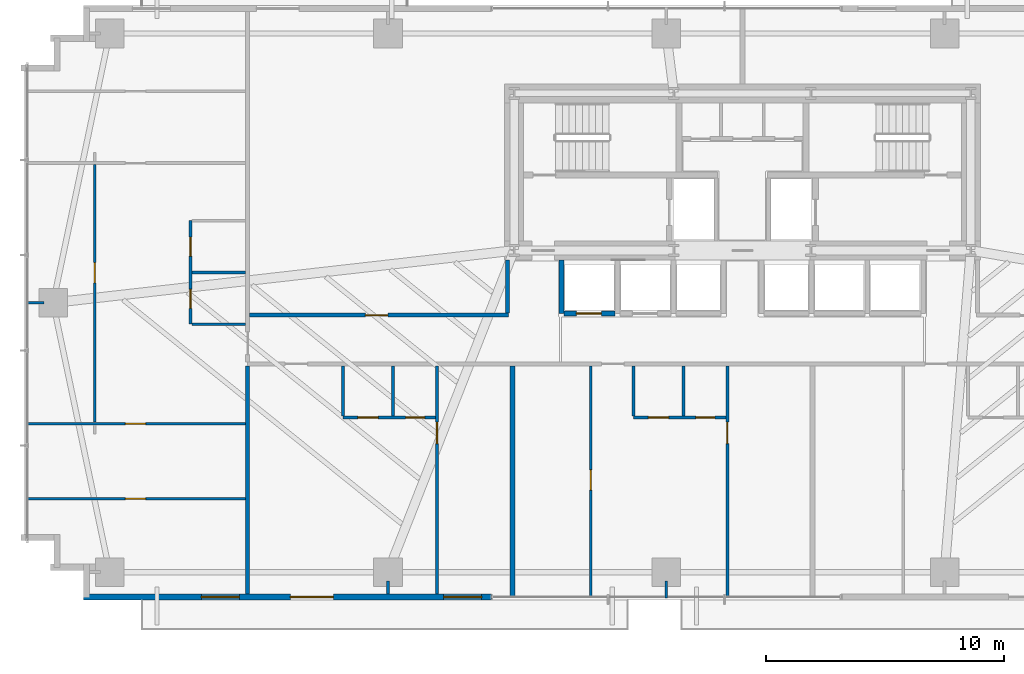
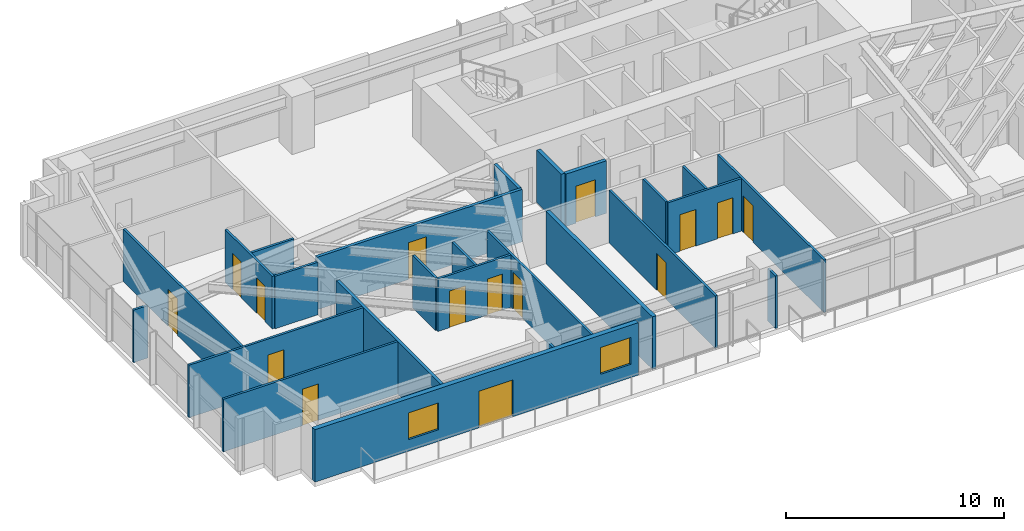
# One storey, part 19 of 25: 25 walls, 15 doors, 2 windows, 17 openings.
"""IFC4 building model written with IfcOpenShell, lengths in metres."""

from ifc_helpers import new_model, si_unit, direction, frame, frame_2d, origin, place, context, subcontext, project, spatial, rectangle, extrude, source, transform, mapped, material, layer, layer_set, type_object, type_shapes, element, fill, save


model = new_model("IFC4")

# Units and contexts
model_context = context("Model", 3, precision=1e-05, world=origin(), true_north=direction((0.0, 1.0)))
body_context = subcontext(model_context, "Body", "Model", "MODEL_VIEW")
ifc_project = project(units=[si_unit("LENGTHUNIT", "METRE"), si_unit("AREAUNIT", "SQUARE_METRE"), si_unit("VOLUMEUNIT", "CUBIC_METRE"), si_unit("PLANEANGLEUNIT", "RADIAN"), si_unit("MASSUNIT", "GRAM", prefix="KILO")], contexts=[model_context])

# Site, building, storey
site_placement = place(None, origin())
site = spatial("IfcSite", under=ifc_project, at=site_placement, CompositionType="ELEMENT")
building_placement = place(site_placement, origin())
building = spatial("IfcBuilding", under=site, at=building_placement, Name="Astriad Promenade Condominiums", CompositionType="ELEMENT")
storey_placement = place(building_placement, frame((0.0, 0.0, 42.199951171875)))
storey = spatial("IfcBuildingStorey", under=building, at=storey_placement, Name="L11", CompositionType="ELEMENT", Elevation=42.199951171875)

# Wall
ifc_material_1 = material(Name="Fire-Rated Gypsum Partition")
ifc_layer_1 = layer(ifc_material_1, 0.159912109375)
ifc_layer_set_1 = layer_set([ifc_layer_1], Name="Fire-Rated Gypsum Partition")
wall_type_1 = type_object("IfcWallType", Name="WALL-CORR-160", PredefinedType="PARTITIONING", material=ifc_layer_set_1)
wall_1_placement = place(storey_placement, frame((15.199951171875, 2.9619140625, 0.0), z_axis=(0.0, 0.0, 1.0), x_axis=(0.0, 1.0, 0.0)))
element("IfcWall", 1, at=wall_1_placement, inside=storey, type_object=wall_type_1, Name="PT-COR-W-L11", PredefinedType="PARTITIONING", context=body_context, shape_type="SweptSolid", body=[
    extrude(rectangle(XDim=9.586181640625, YDim=0.159912109375, at=frame_2d((4.79296875, 0.0))), origin(), (0.0, 0.0, 1.0), 2.93994140625),
])

# Wall, opening, door
wall_2_placement = place(storey_placement, frame((15.281982421875, 14.679931640625, 0.0), z_axis=(0.0, 0.0, 1.0), x_axis=(1.0, 0.0, 0.0)))
wall_2 = element("IfcWall", 2, at=wall_2_placement, inside=storey, type_object=wall_type_1, Name="PT-FLK-NW-L11", PredefinedType="PARTITIONING", context=body_context, shape_type="SweptSolid", body=[
    extrude(rectangle(XDim=10.8779296875, YDim=0.159912109375, at=frame_2d((5.43896484375, 0.0))), origin(), (0.0, 0.0, 1.0), 2.93994140625),
])
opening_1_placement = place(wall_2_placement, frame((4.863037109375, 0.0, 0.0)))
opening_1 = element("IfcOpeningElement", 3, at=opening_1_placement, cuts=wall_2, Name="Opening FD60-APT-095", PredefinedType="OPENING", context=body_context, shape_type="SweptSolid", body=[
    extrude(rectangle(XDim=0.949951171875, YDim=2.06005859375, at=frame_2d((0.47509765625, 1.030029296875))), frame((0.0, 0.08984375, 0.0), z_axis=(0.0, -1.0, 0.0), x_axis=(1.0, 0.0, 0.0)), (0.0, 0.0, 1.0), 0.179931640625),
])
ifc_material_2 = material(Name="Solid-Core Acoustic Timber Residence Entry Door", Category="wood")
door_type_1 = type_object("IfcDoorType", Name="FD60-APT-095", OperationType="NOTDEFINED", PredefinedType="DOOR", material=ifc_material_2)
shared_shape_1 = source(origin(), body_context, "Body", "SweptSolid", [
    extrude(rectangle(XDim=0.949951171875, YDim=2.06005859375, at=frame_2d((0.47509765625, 1.030029296875))), frame((0.0, 0.02490234375, 0.0), z_axis=(0.0, -1.0, 0.0), x_axis=(1.0, 0.0, 0.0)), (0.0, 0.0, 1.0), 0.050048828125),
])
type_shapes(door_type_1, [shared_shape_1])
door_1_placement = place(opening_1_placement, origin())
door_1 = element("IfcDoor", 4, at=door_1_placement, inside=storey, type_object=door_type_1, Name="D-NWA-L11", OperationType="SINGLE_SWING_LEFT", OverallHeight=2.06005859375, OverallWidth=0.949951171875, PredefinedType="DOOR", context=body_context, shape_type="MappedRepresentation", body=[
    mapped(shared_shape_1, transform((0.0, 0.0, 0.0), scale=1.0)),
])
fill(opening_1, door_1)

# Walls
wall_3_placement = place(storey_placement, frame((26.1201171875, 14.761962890625, 0.0), z_axis=(0.0, 0.0, 1.0), x_axis=(0.0, 1.0, 0.0)))
element("IfcWall", 5, at=wall_3_placement, inside=storey, type_object=wall_type_1, Name="PT-WSPUR-W-L11", PredefinedType="PARTITIONING", context=body_context, shape_type="SweptSolid", body=[
    extrude(rectangle(XDim=2.236083984375, YDim=0.159912109375, at=frame_2d((1.1181640625, 0.0))), origin(), (0.0, 0.0, 1.0), 2.93994140625),
])
ifc_material_3 = material(Name="Acoustic Double-Stud Gypsum Partition")
ifc_layer_2 = layer(ifc_material_3, 0.199951171875)
ifc_layer_set_2 = layer_set([ifc_layer_2], Name="Acoustic Double-Stud Gypsum Partition")
wall_type_2 = type_object("IfcWallType", Name="WALL-DEMISING-200", PredefinedType="PARTITIONING", material=ifc_layer_set_2)
wall_4_placement = place(storey_placement, frame((26.330078125, 2.780029296875, 0.0), z_axis=(0.0, 0.0, 1.0), x_axis=(0.0, 1.0, 0.0)))
element("IfcWall", 6, at=wall_4_placement, inside=storey, type_object=wall_type_2, Name="PT-DEM-S1-L11", PredefinedType="PARTITIONING", context=body_context, shape_type="SweptSolid", body=[
    extrude(rectangle(XDim=9.76806640625, YDim=0.199951171875, at=frame_2d((4.884033203125, 0.0))), origin(), (0.0, 0.0, 1.0), 2.93994140625),
])

# Wall, openings, door, windows
ifc_material_4 = material(Name="Precast concrete C50/60", Category="concrete")
ifc_layer_3 = layer(ifc_material_4, 0.260009765625)
ifc_layer_set_3 = layer_set([ifc_layer_3], Name="Precast concrete C50/60")
wall_type_3 = type_object("IfcWallType", Name="WALL-EXT-TWR-260", PredefinedType="STANDARD", material=ifc_layer_set_3)
wall_5_placement = place(storey_placement, frame((25.449951171875, 2.830078125, 0.0), z_axis=(0.0, 0.0, 1.0), x_axis=(-1.0, 0.0, 0.0)))
wall_5 = element("IfcWall", 7, at=wall_5_placement, inside=storey, type_object=wall_type_3, Name="W-EXT-L11-S2", PredefinedType="STANDARD", context=body_context, shape_type="SweptSolid", body=[
    extrude(rectangle(XDim=17.14990234375, YDim=0.260009765625, at=frame_2d((8.574951171875, 0.0))), origin(), (0.0, 0.0, 1.0), 2.93994140625),
])
opening_2_placement = place(wall_5_placement, frame((6.64990234375, 0.0, 0.0)))
opening_2 = element("IfcOpeningElement", 8, at=opening_2_placement, cuts=wall_5, Name="Opening BD-1822-SLD", PredefinedType="OPENING", context=body_context, shape_type="SweptSolid", body=[
    extrude(rectangle(XDim=1.800048828125, YDim=2.06005859375, at=frame_2d((0.89990234375, 1.030029296875))), frame((0.0, 0.139892578125, 0.0), z_axis=(0.0, -1.0, 0.0), x_axis=(1.0, 0.0, 0.0)), (0.0, 0.0, 1.0), 0.280029296875),
])
opening_3_placement = place(wall_5_placement, frame((10.60009765625, 0.0, 0.64990234375)))
opening_3 = element("IfcOpeningElement", 9, at=opening_3_placement, cuts=wall_5, Name="Opening WIN-TWR-1620", PredefinedType="OPENING", context=body_context, shape_type="SweptSolid", body=[
    extrude(rectangle(XDim=1.60009765625, YDim=1.5, at=frame_2d((0.800048828125, 0.75))), frame((0.0, 0.139892578125, 0.0), z_axis=(0.0, -1.0, 0.0), x_axis=(1.0, 0.0, 0.0)), (0.0, 0.0, 1.0), 0.280029296875),
])
opening_4_placement = place(wall_5_placement, frame((0.4130859375, 0.0, 0.75)))
opening_4 = element("IfcOpeningElement", 10, at=opening_4_placement, cuts=wall_5, Name="Opening WIN-TWR-1620", PredefinedType="OPENING", context=body_context, shape_type="SweptSolid", body=[
    extrude(rectangle(XDim=1.60009765625, YDim=1.5, at=frame_2d((0.800048828125, 0.75))), frame((0.0, 0.139892578125, 0.0), z_axis=(0.0, -1.0, 0.0), x_axis=(1.0, 0.0, 0.0)), (0.0, 0.0, 1.0), 0.280029296875),
])
ifc_material_5 = material(Name="Thermally Broken Aluminium Sliding Balcony Door", Category="aluminium")
door_type_2 = type_object("IfcDoorType", Name="BD-1822-SLD", OperationType="NOTDEFINED", PredefinedType="DOOR", material=ifc_material_5)
shared_shape_2 = source(origin(), body_context, "Body", "SweptSolid", [
    extrude(rectangle(XDim=1.800048828125, YDim=2.06005859375, at=frame_2d((0.89990234375, 1.030029296875))), frame((0.0, 0.02490234375, 0.0), z_axis=(0.0, -1.0, 0.0), x_axis=(1.0, 0.0, 0.0)), (0.0, 0.0, 1.0), 0.050048828125),
])
type_shapes(door_type_2, [shared_shape_2])
door_2_placement = place(opening_2_placement, origin())
door_2 = element("IfcDoor", 11, at=door_2_placement, inside=storey, type_object=door_type_2, Name="BD-L11-SW", OperationType="SLIDING_TO_LEFT", OverallHeight=2.06005859375, OverallWidth=1.800048828125, PredefinedType="DOOR", context=body_context, shape_type="MappedRepresentation", body=[
    mapped(shared_shape_2, transform((0.0, 0.0, 0.0), scale=1.0)),
])
fill(opening_2, door_2)
ifc_material_6 = material(Name="Dark Tinted Triple-Glazed Aluminium Window", Category="aluminium")
window_type = type_object("IfcWindowType", Name="WIN-TWR-1620", PartitioningType="SINGLE_PANEL", PredefinedType="WINDOW", material=ifc_material_6)
shared_shape_3 = source(origin(), body_context, "Body", "SweptSolid", [
    extrude(rectangle(XDim=1.60009765625, YDim=1.5, at=frame_2d((0.800048828125, 0.75))), frame((0.0, 0.030029296875, 0.0), z_axis=(0.0, -1.0, 0.0), x_axis=(1.0, 0.0, 0.0)), (0.0, 0.0, 1.0), 0.06005859375),
])
type_shapes(window_type, [shared_shape_3])
window_1_placement = place(opening_3_placement, origin())
window_1 = element("IfcWindow", 12, at=window_1_placement, inside=storey, type_object=window_type, Name="WIN-L11-SW", OverallHeight=1.5, OverallWidth=1.60009765625, PartitioningType="SINGLE_PANEL", PredefinedType="WINDOW", context=body_context, shape_type="MappedRepresentation", body=[
    mapped(shared_shape_3, transform((0.0, 0.0, 0.0), scale=1.0)),
])
fill(opening_3, window_1)
window_2_placement = place(opening_4_placement, origin())
window_2 = element("IfcWindow", 13, at=window_2_placement, inside=storey, type_object=window_type, Name="WIN-DW-L11-S1-BD1", OverallHeight=1.5, OverallWidth=1.60009765625, PartitioningType="SINGLE_PANEL", PredefinedType="WINDOW", context=body_context, shape_type="MappedRepresentation", body=[
    mapped(shared_shape_3, transform((0.0, 0.0, 0.0), scale=1.0)),
])
fill(opening_4, window_2)

# Wall, opening, door
ifc_material_7 = material(Name="Acoustic Metal-Stud Gypsum Partition")
ifc_layer_4 = layer(ifc_material_7, 0.1201171875)
ifc_layer_set_4 = layer_set([ifc_layer_4], Name="Acoustic Metal-Stud Gypsum Partition")
wall_type_4 = type_object("IfcWallType", Name="WALL-PART-120", PredefinedType="PARTITIONING", material=ifc_layer_set_4)
wall_6_placement = place(storey_placement, frame((23.1640625, 2.9619140625, 0.0), z_axis=(0.0, 0.0, 1.0), x_axis=(0.0, 1.0, 0.0)))
wall_6 = element("IfcWall", 14, at=wall_6_placement, inside=storey, type_object=wall_type_4, Name="PT-L11-S1-BD1", PredefinedType="PARTITIONING", context=body_context, shape_type="SweptSolid", body=[
    extrude(rectangle(XDim=9.586181640625, YDim=0.1201171875, at=frame_2d((4.79296875, 0.0))), origin(), (0.0, 0.0, 1.0), 2.93994140625),
])
opening_5_placement = place(wall_6_placement, frame((6.318115234375, 0.0, 0.0)))
opening_5 = element("IfcOpeningElement", 15, at=opening_5_placement, cuts=wall_6, Name="Opening D-INT-090", PredefinedType="OPENING", context=body_context, shape_type="SweptSolid", body=[
    extrude(rectangle(XDim=0.89990234375, YDim=2.050048828125, at=frame_2d((0.449951171875, 1.02490234375))), frame((0.0, 0.070068359375, 0.0), z_axis=(0.0, -1.0, 0.0), x_axis=(1.0, 0.0, 0.0)), (0.0, 0.0, 1.0), 0.14013671875),
])
ifc_material_8 = material(Name="Painted Solid-Core Timber Bedroom Door", Category="wood")
door_type_3 = type_object("IfcDoorType", Name="D-INT-090", OperationType="NOTDEFINED", PredefinedType="DOOR", material=ifc_material_8)
shared_shape_4 = source(origin(), body_context, "Body", "SweptSolid", [
    extrude(rectangle(XDim=0.89990234375, YDim=2.050048828125, at=frame_2d((0.449951171875, 1.02490234375))), frame((0.0, 0.02490234375, 0.0), z_axis=(0.0, -1.0, 0.0), x_axis=(1.0, 0.0, 0.0)), (0.0, 0.0, 1.0), 0.050048828125),
])
type_shapes(door_type_3, [shared_shape_4])
door_3_placement = place(opening_5_placement, origin())
door_3 = element("IfcDoor", 16, at=door_3_placement, inside=storey, type_object=door_type_3, Name="D-BD1-L11-S1", OperationType="SINGLE_SWING_RIGHT", OverallHeight=2.050048828125, OverallWidth=0.89990234375, PredefinedType="DOOR", context=body_context, shape_type="MappedRepresentation", body=[
    mapped(shared_shape_4, transform((0.0, 0.0, 0.0), scale=1.0)),
])
fill(opening_5, door_3)

# Wall, openings, doors
wall_7_placement = place(storey_placement, frame((19.214111328125, 10.3798828125, 0.0), z_axis=(0.0, 0.0, 1.0), x_axis=(1.0, 0.0, 0.0)))
wall_7 = element("IfcWall", 17, at=wall_7_placement, inside=storey, type_object=wall_type_4, Name="PT-L11-S1-PS", PredefinedType="PARTITIONING", context=body_context, shape_type="SweptSolid", body=[
    extrude(rectangle(XDim=3.887939453125, YDim=0.1201171875, at=frame_2d((1.94384765625, 0.0))), origin(), (0.0, 0.0, 1.0), 2.93994140625),
])
opening_6_placement = place(wall_7_placement, frame((0.625, 0.0, 0.0)))
opening_6 = element("IfcOpeningElement", 18, at=opening_6_placement, cuts=wall_7, Name="Opening D-INT-085", PredefinedType="OPENING", context=body_context, shape_type="SweptSolid", body=[
    extrude(rectangle(XDim=0.85009765625, YDim=2.050048828125, at=frame_2d((0.425048828125, 1.02490234375))), frame((0.0, 0.070068359375, 0.0), z_axis=(0.0, -1.0, 0.0), x_axis=(1.0, 0.0, 0.0)), (0.0, 0.0, 1.0), 0.14013671875),
])
opening_7_placement = place(wall_7_placement, frame((2.625, 0.0, 0.0)))
opening_7 = element("IfcOpeningElement", 19, at=opening_7_placement, cuts=wall_7, Name="Opening D-WET-080", PredefinedType="OPENING", context=body_context, shape_type="SweptSolid", body=[
    extrude(rectangle(XDim=0.800048828125, YDim=2.02001953125, at=frame_2d((0.39990234375, 1.010009765625))), frame((0.0, 0.070068359375, 0.0), z_axis=(0.0, -1.0, 0.0), x_axis=(1.0, 0.0, 0.0)), (0.0, 0.0, 1.0), 0.14013671875),
])
ifc_material_9 = material(Name="Moisture-Resistant Timber Bathroom Door", Category="wood")
door_type_4 = type_object("IfcDoorType", Name="D-WET-080", OperationType="NOTDEFINED", PredefinedType="DOOR", material=ifc_material_9)
shared_shape_5 = source(origin(), body_context, "Body", "SweptSolid", [
    extrude(rectangle(XDim=0.800048828125, YDim=2.02001953125, at=frame_2d((0.39990234375, 1.010009765625))), frame((0.0, 0.02490234375, 0.0), z_axis=(0.0, -1.0, 0.0), x_axis=(1.0, 0.0, 0.0)), (0.0, 0.0, 1.0), 0.050048828125),
])
type_shapes(door_type_4, [shared_shape_5])
door_4_placement = place(opening_7_placement, origin())
door_4 = element("IfcDoor", 20, at=door_4_placement, inside=storey, type_object=door_type_4, Name="D-BTH-L11-S1", OperationType="SINGLE_SWING_RIGHT", OverallHeight=2.02001953125, OverallWidth=0.800048828125, PredefinedType="DOOR", context=body_context, shape_type="MappedRepresentation", body=[
    mapped(shared_shape_5, transform((0.0, 0.0, 0.0), scale=1.0)),
])
fill(opening_7, door_4)
ifc_material_10 = material(Name="Painted Solid-Core Timber Room Door", Category="wood")
door_type_5 = type_object("IfcDoorType", Name="D-INT-085", OperationType="NOTDEFINED", PredefinedType="DOOR", material=ifc_material_10)
shared_shape_6 = source(origin(), body_context, "Body", "SweptSolid", [
    extrude(rectangle(XDim=0.85009765625, YDim=2.050048828125, at=frame_2d((0.425048828125, 1.02490234375))), frame((0.0, 0.02490234375, 0.0), z_axis=(0.0, -1.0, 0.0), x_axis=(1.0, 0.0, 0.0)), (0.0, 0.0, 1.0), 0.050048828125),
])
type_shapes(door_type_5, [shared_shape_6])
door_5_placement = place(opening_6_placement, origin())
door_5 = element("IfcDoor", 21, at=door_5_placement, inside=storey, type_object=door_type_5, Name="D-KIT-L11-S1", OperationType="SINGLE_SWING_LEFT", OverallHeight=2.050048828125, OverallWidth=0.85009765625, PredefinedType="DOOR", context=body_context, shape_type="MappedRepresentation", body=[
    mapped(shared_shape_6, transform((0.0, 0.0, 0.0), scale=1.0)),
])
fill(opening_6, door_5)

# Walls
for number, where, z_axis, x_axis, name in (
    (22, (21.31396484375, 10.44189453125, 0.0), (0.0, 0.0, 1.0), (0.0, 1.0, 0.0), "PT-L11-S1-PBK"),
    (23, (19.214111328125, 10.44189453125, 0.0), (0.0, 0.0, 1.0), (0.0, 1.0, 0.0), "PT-L11-S1-PKW"),
):
    element("IfcWall", number, at=place(storey_placement, frame(where, z_axis=z_axis, x_axis=x_axis)), inside=storey, type_object=wall_type_4, Name=name, PredefinedType="PARTITIONING", context=body_context, shape_type="SweptSolid", body=[
        extrude(rectangle(XDim=2.106201171875, YDim=0.1201171875, at=frame_2d((1.05322265625, 0.0))), origin(), (0.0, 0.0, 1.0), 2.93994140625),
    ])

# Wall, opening, door
wall_8_placement = place(storey_placement, frame((35.367919921875, 2.780029296875, 0.0), z_axis=(0.0, 0.0, 1.0), x_axis=(0.0, 1.0, 0.0)))
wall_8 = element("IfcWall", 24, at=wall_8_placement, inside=storey, type_object=wall_type_4, Name="PT-L11-S2-BD1", PredefinedType="PARTITIONING", context=body_context, shape_type="SweptSolid", body=[
    extrude(rectangle(XDim=9.76806640625, YDim=0.1201171875, at=frame_2d((4.884033203125, 0.0))), origin(), (0.0, 0.0, 1.0), 2.93994140625),
])
opening_8_placement = place(wall_8_placement, frame((6.5, 0.0, 0.0)))
opening_8 = element("IfcOpeningElement", 25, at=opening_8_placement, cuts=wall_8, Name="Opening D-INT-090", PredefinedType="OPENING", context=body_context, shape_type="SweptSolid", body=[
    extrude(rectangle(XDim=0.89990234375, YDim=2.050048828125, at=frame_2d((0.449951171875, 1.02490234375))), frame((0.0, 0.070068359375, 0.0), z_axis=(0.0, -1.0, 0.0), x_axis=(1.0, 0.0, 0.0)), (0.0, 0.0, 1.0), 0.14013671875),
])
door_6_placement = place(opening_8_placement, origin())
door_6 = element("IfcDoor", 26, at=door_6_placement, inside=storey, type_object=door_type_3, Name="D-BD1-L11-S2", OperationType="SINGLE_SWING_LEFT", OverallHeight=2.050048828125, OverallWidth=0.89990234375, PredefinedType="DOOR", context=body_context, shape_type="MappedRepresentation", body=[
    mapped(shared_shape_4, transform((0.0, 0.0, 0.0), scale=1.0)),
])
fill(opening_8, door_6)

# Wall, openings, doors
wall_9_placement = place(storey_placement, frame((31.41796875, 10.3798828125, 0.0), z_axis=(0.0, 0.0, 1.0), x_axis=(1.0, 0.0, 0.0)))
wall_9 = element("IfcWall", 27, at=wall_9_placement, inside=storey, type_object=wall_type_4, Name="PT-L11-S2-PS", PredefinedType="PARTITIONING", context=body_context, shape_type="SweptSolid", body=[
    extrude(rectangle(XDim=3.887939453125, YDim=0.1201171875, at=frame_2d((1.94384765625, 0.0))), origin(), (0.0, 0.0, 1.0), 2.93994140625),
])
opening_9_placement = place(wall_9_placement, frame((0.625, 0.0, 0.0)))
opening_9 = element("IfcOpeningElement", 28, at=opening_9_placement, cuts=wall_9, Name="Opening D-INT-085", PredefinedType="OPENING", context=body_context, shape_type="SweptSolid", body=[
    extrude(rectangle(XDim=0.85009765625, YDim=2.050048828125, at=frame_2d((0.425048828125, 1.02490234375))), frame((0.0, 0.070068359375, 0.0), z_axis=(0.0, -1.0, 0.0), x_axis=(1.0, 0.0, 0.0)), (0.0, 0.0, 1.0), 0.14013671875),
])
opening_10_placement = place(wall_9_placement, frame((2.625, 0.0, 0.0)))
opening_10 = element("IfcOpeningElement", 29, at=opening_10_placement, cuts=wall_9, Name="Opening D-WET-080", PredefinedType="OPENING", context=body_context, shape_type="SweptSolid", body=[
    extrude(rectangle(XDim=0.800048828125, YDim=2.02001953125, at=frame_2d((0.39990234375, 1.010009765625))), frame((0.0, 0.070068359375, 0.0), z_axis=(0.0, -1.0, 0.0), x_axis=(1.0, 0.0, 0.0)), (0.0, 0.0, 1.0), 0.14013671875),
])
door_7_placement = place(opening_10_placement, origin())
door_7 = element("IfcDoor", 30, at=door_7_placement, inside=storey, type_object=door_type_4, Name="D-BTH-L11-S2", OperationType="SINGLE_SWING_LEFT", OverallHeight=2.02001953125, OverallWidth=0.800048828125, PredefinedType="DOOR", context=body_context, shape_type="MappedRepresentation", body=[
    mapped(shared_shape_5, transform((0.0, 0.0, 0.0), scale=1.0)),
])
fill(opening_10, door_7)
door_8_placement = place(opening_9_placement, origin())
door_8 = element("IfcDoor", 31, at=door_8_placement, inside=storey, type_object=door_type_5, Name="D-KIT-L11-S2", OperationType="SINGLE_SWING_RIGHT", OverallHeight=2.050048828125, OverallWidth=0.85009765625, PredefinedType="DOOR", context=body_context, shape_type="MappedRepresentation", body=[
    mapped(shared_shape_6, transform((0.0, 0.0, 0.0), scale=1.0)),
])
fill(opening_9, door_8)

# Walls
for number, where, z_axis, x_axis, name in (
    (32, (33.51806640625, 10.44189453125, 0.0), (0.0, 0.0, 1.0), (0.0, 1.0, 0.0), "PT-L11-S2-PBK"),
    (33, (31.41796875, 10.44189453125, 0.0), (0.0, 0.0, 1.0), (0.0, 1.0, 0.0), "PT-L11-S2-PKW"),
):
    element("IfcWall", number, at=place(storey_placement, frame(where, z_axis=z_axis, x_axis=x_axis)), inside=storey, type_object=wall_type_4, Name=name, PredefinedType="PARTITIONING", context=body_context, shape_type="SweptSolid", body=[
        extrude(rectangle(XDim=2.106201171875, YDim=0.1201171875, at=frame_2d((1.05322265625, 0.0))), origin(), (0.0, 0.0, 1.0), 2.93994140625),
    ])

# Wall, opening, door
wall_10_placement = place(storey_placement, frame((29.6259765625, 2.780029296875, 0.0), z_axis=(0.0, 0.0, 1.0), x_axis=(0.0, 1.0, 0.0)))
wall_10 = element("IfcWall", 34, at=wall_10_placement, inside=storey, type_object=wall_type_4, Name="PT-L11-S2-CAP1", PredefinedType="PARTITIONING", context=body_context, shape_type="SweptSolid", body=[
    extrude(rectangle(XDim=9.76806640625, YDim=0.1201171875, at=frame_2d((4.884033203125, 0.0))), origin(), (0.0, 0.0, 1.0), 2.93994140625),
])
opening_11_placement = place(wall_10_placement, frame((4.5400390625, 0.0, 0.0)))
opening_11 = element("IfcOpeningElement", 35, at=opening_11_placement, cuts=wall_10, Name="Opening D-INT-085", PredefinedType="OPENING", context=body_context, shape_type="SweptSolid", body=[
    extrude(rectangle(XDim=0.85009765625, YDim=2.050048828125, at=frame_2d((0.425048828125, 1.02490234375))), frame((0.0, 0.070068359375, 0.0), z_axis=(0.0, -1.0, 0.0), x_axis=(1.0, 0.0, 0.0)), (0.0, 0.0, 1.0), 0.14013671875),
])
door_9_placement = place(opening_11_placement, origin())
door_9 = element("IfcDoor", 36, at=door_9_placement, inside=storey, type_object=door_type_5, Name="D-CAP1-L11-S2", OperationType="SINGLE_SWING_LEFT", OverallHeight=2.050048828125, OverallWidth=0.85009765625, PredefinedType="DOOR", context=body_context, shape_type="MappedRepresentation", body=[
    mapped(shared_shape_6, transform((0.0, 0.0, 0.0), scale=1.0)),
])
fill(opening_11, door_9)

# Wall, openings, doors
wall_11_placement = place(storey_placement, frame((12.800048828125, 14.299072265625, 0.0), z_axis=(0.0, 0.0, 1.0), x_axis=(0.0, 1.0, 0.0)))
wall_11 = element("IfcWall", 37, at=wall_11_placement, inside=storey, type_object=wall_type_4, Name="PT-L11-W1-PV", PredefinedType="PARTITIONING", context=body_context, shape_type="SweptSolid", body=[
    extrude(rectangle(XDim=4.349853515625, YDim=0.1201171875, at=frame_2d((2.1748046875, 0.0))), origin(), (0.0, 0.0, 1.0), 2.93994140625),
])
opening_12_placement = place(wall_11_placement, frame((0.662109375, 0.0, 0.0)))
opening_12 = element("IfcOpeningElement", 38, at=opening_12_placement, cuts=wall_11, Name="Opening D-ULOW-080", PredefinedType="OPENING", context=body_context, shape_type="SweptSolid", body=[
    extrude(rectangle(XDim=0.800048828125, YDim=2.0, at=frame_2d((0.39990234375, 1.0))), frame((0.0, 0.070068359375, 0.0), z_axis=(0.0, -1.0, 0.0), x_axis=(1.0, 0.0, 0.0)), (0.0, 0.0, 1.0), 0.14013671875),
])
opening_13_placement = place(wall_11_placement, frame((2.863037109375, 0.0, 0.0)))
opening_13 = element("IfcOpeningElement", 39, at=opening_13_placement, cuts=wall_11, Name="Opening D-WET-080", PredefinedType="OPENING", context=body_context, shape_type="SweptSolid", body=[
    extrude(rectangle(XDim=0.800048828125, YDim=2.02001953125, at=frame_2d((0.39990234375, 1.010009765625))), frame((0.0, 0.070068359375, 0.0), z_axis=(0.0, -1.0, 0.0), x_axis=(1.0, 0.0, 0.0)), (0.0, 0.0, 1.0), 0.14013671875),
])
door_10_placement = place(opening_13_placement, origin())
door_10 = element("IfcDoor", 40, at=door_10_placement, inside=storey, type_object=door_type_4, Name="D-BTH-L11-W1", OperationType="SINGLE_SWING_LEFT", OverallHeight=2.02001953125, OverallWidth=0.800048828125, PredefinedType="DOOR", context=body_context, shape_type="MappedRepresentation", body=[
    mapped(shared_shape_5, transform((0.0, 0.0, 0.0), scale=1.0)),
])
fill(opening_13, door_10)
ifc_material_11 = material(Name="Painted Timber Low-Headroom Door", Category="wood")
door_type_6 = type_object("IfcDoorType", Name="D-ULOW-080", OperationType="NOTDEFINED", PredefinedType="DOOR", material=ifc_material_11)
shared_shape_7 = source(origin(), body_context, "Body", "SweptSolid", [
    extrude(rectangle(XDim=0.800048828125, YDim=2.0, at=frame_2d((0.39990234375, 1.0))), frame((0.0, 0.02490234375, 0.0), z_axis=(0.0, -1.0, 0.0), x_axis=(1.0, 0.0, 0.0)), (0.0, 0.0, 1.0), 0.050048828125),
])
type_shapes(door_type_6, [shared_shape_7])
door_11_placement = place(opening_12_placement, origin())
door_11 = element("IfcDoor", 41, at=door_11_placement, inside=storey, type_object=door_type_6, Name="D-KIT-L11-W1", OperationType="SINGLE_SWING_RIGHT", OverallHeight=2.0, OverallWidth=0.800048828125, PredefinedType="DOOR", context=body_context, shape_type="MappedRepresentation", body=[
    mapped(shared_shape_7, transform((0.0, 0.0, 0.0), scale=1.0)),
])
fill(opening_12, door_11)

# Walls
for number, where, z_axis, x_axis, name in (
    (42, (12.862060546875, 16.47412109375, 0.0), (0.0, 0.0, 1.0), (1.0, 0.0, 0.0), "PT-L11-W1-PM"),
    (43, (12.862060546875, 14.299072265625, 0.0), (0.0, 0.0, 1.0), (1.0, 0.0, 0.0), "PT-L11-W1-PS"),
):
    element("IfcWall", number, at=place(storey_placement, frame(where, z_axis=z_axis, x_axis=x_axis)), inside=storey, type_object=wall_type_4, Name=name, PredefinedType="PARTITIONING", context=body_context, shape_type="SweptSolid", body=[
        extrude(rectangle(XDim=2.255859375, YDim=0.1201171875, at=frame_2d((1.1279296875, 0.0))), origin(), (0.0, 0.0, 1.0), 2.93994140625),
    ])

# Wall, opening, door
wall_12_placement = place(storey_placement, frame((5.8798828125, 6.9599609375, 0.0), z_axis=(0.0, 0.0, 1.0), x_axis=(1.0, 0.0, 0.0)))
wall_12 = element("IfcWall", 44, at=wall_12_placement, inside=storey, type_object=wall_type_4, Name="PT-L11-W1-WDS1", PredefinedType="PARTITIONING", context=body_context, shape_type="SweptSolid", body=[
    extrude(rectangle(XDim=9.238037109375, YDim=0.1201171875, at=frame_2d((4.619140625, 0.0))), origin(), (0.0, 0.0, 1.0), 2.93994140625),
])
opening_14_placement = place(wall_12_placement, frame((4.18505859375, 0.0, 0.0)))
opening_14 = element("IfcOpeningElement", 45, at=opening_14_placement, cuts=wall_12, Name="Opening D-INT-085", PredefinedType="OPENING", context=body_context, shape_type="SweptSolid", body=[
    extrude(rectangle(XDim=0.85009765625, YDim=2.050048828125, at=frame_2d((0.425048828125, 1.02490234375))), frame((0.0, 0.070068359375, 0.0), z_axis=(0.0, -1.0, 0.0), x_axis=(1.0, 0.0, 0.0)), (0.0, 0.0, 1.0), 0.14013671875),
])
door_12_placement = place(opening_14_placement, origin())
door_12 = element("IfcDoor", 46, at=door_12_placement, inside=storey, type_object=door_type_5, Name="D-WDS1-L11-W1", OperationType="SINGLE_SWING_LEFT", OverallHeight=2.050048828125, OverallWidth=0.85009765625, PredefinedType="DOOR", context=body_context, shape_type="MappedRepresentation", body=[
    mapped(shared_shape_6, transform((0.0, 0.0, 0.0), scale=1.0)),
])
fill(opening_14, door_12)

wall_13_placement = place(storey_placement, frame((5.8798828125, 10.115966796875, 0.0), z_axis=(0.0, 0.0, 1.0), x_axis=(1.0, 0.0, 0.0)))
wall_13 = element("IfcWall", 47, at=wall_13_placement, inside=storey, type_object=wall_type_4, Name="PT-L11-W1-WDS2", PredefinedType="PARTITIONING", context=body_context, shape_type="SweptSolid", body=[
    extrude(rectangle(XDim=9.238037109375, YDim=0.1201171875, at=frame_2d((4.619140625, 0.0))), origin(), (0.0, 0.0, 1.0), 2.93994140625),
])
opening_15_placement = place(wall_13_placement, frame((4.18505859375, 0.0, 0.0)))
opening_15 = element("IfcOpeningElement", 48, at=opening_15_placement, cuts=wall_13, Name="Opening D-INT-085", PredefinedType="OPENING", context=body_context, shape_type="SweptSolid", body=[
    extrude(rectangle(XDim=0.85009765625, YDim=2.050048828125, at=frame_2d((0.425048828125, 1.02490234375))), frame((0.0, 0.070068359375, 0.0), z_axis=(0.0, -1.0, 0.0), x_axis=(1.0, 0.0, 0.0)), (0.0, 0.0, 1.0), 0.14013671875),
])
door_13_placement = place(opening_15_placement, origin())
door_13 = element("IfcDoor", 49, at=door_13_placement, inside=storey, type_object=door_type_5, Name="D-WDS2-L11-W1", OperationType="SINGLE_SWING_RIGHT", OverallHeight=2.050048828125, OverallWidth=0.85009765625, PredefinedType="DOOR", context=body_context, shape_type="MappedRepresentation", body=[
    mapped(shared_shape_6, transform((0.0, 0.0, 0.0), scale=1.0)),
])
fill(opening_15, door_13)

wall_14_placement = place(storey_placement, frame((8.77490234375, 10.177978515625, 0.0), z_axis=(0.0, 0.0, 1.0), x_axis=(0.0, 1.0, 0.0)))
wall_14 = element("IfcWall", 50, at=wall_14_placement, inside=storey, type_object=wall_type_4, Name="PT-L11-W1-WDV4-S2", PredefinedType="PARTITIONING", context=body_context, shape_type="SweptSolid", body=[
    extrude(rectangle(XDim=10.830078125, YDim=0.1201171875, at=frame_2d((5.4150390625, 0.0))), origin(), (0.0, 0.0, 1.0), 2.93994140625),
])
opening_16_placement = place(wall_14_placement, frame((5.860107421875, 0.0, 0.0)))
opening_16 = element("IfcOpeningElement", 51, at=opening_16_placement, cuts=wall_14, Name="Opening D-INT-085", PredefinedType="OPENING", context=body_context, shape_type="SweptSolid", body=[
    extrude(rectangle(XDim=0.85009765625, YDim=2.050048828125, at=frame_2d((0.425048828125, 1.02490234375))), frame((0.0, 0.070068359375, 0.0), z_axis=(0.0, -1.0, 0.0), x_axis=(1.0, 0.0, 0.0)), (0.0, 0.0, 1.0), 0.14013671875),
])
door_14_placement = place(opening_16_placement, origin())
door_14 = element("IfcDoor", 52, at=door_14_placement, inside=storey, type_object=door_type_5, Name="D-WDV4-L11-W1", OperationType="SINGLE_SWING_RIGHT", OverallHeight=2.050048828125, OverallWidth=0.85009765625, PredefinedType="DOOR", context=body_context, shape_type="MappedRepresentation", body=[
    mapped(shared_shape_6, transform((0.0, 0.0, 0.0), scale=1.0)),
])
fill(opening_16, door_14)

# Walls
wall_15_placement = place(storey_placement, frame((21.10009765625, 3.5, 0.0), z_axis=(0.0, 0.0, 1.0), x_axis=(0.0, -1.0, 0.0)))
element("IfcWall", 53, at=wall_15_placement, inside=storey, type_object=wall_type_4, Name="PT-PIL-L11-PC02-9", PredefinedType="PARTITIONING", context=body_context, shape_type="SweptSolid", body=[
    extrude(rectangle(XDim=0.5380859375, YDim=0.1201171875, at=frame_2d((0.26904296875, 0.0))), origin(), (0.0, 0.0, 1.0), 2.93994140625),
])
wall_16_placement = place(storey_placement, frame((32.800048828125, 3.5, 0.0), z_axis=(0.0, 0.0, 1.0), x_axis=(0.0, -1.0, 0.0)))
element("IfcWall", 54, at=wall_16_placement, inside=storey, type_object=wall_type_4, Name="PT-PIL-L11-PC03-10", PredefinedType="PARTITIONING", context=body_context, shape_type="SweptSolid", body=[
    extrude(rectangle(XDim=0.719970703125, YDim=0.1201171875, at=frame_2d((0.35986328125, 0.0))), origin(), (0.0, 0.0, 1.0), 2.93994140625),
])
wall_17_placement = place(storey_placement, frame((6.639892578125, 15.199951171875, 0.0), z_axis=(0.0, 0.0, 1.0), x_axis=(-1.0, 0.0, 0.0)))
element("IfcWall", 55, at=wall_17_placement, inside=storey, type_object=wall_type_4, Name="PT-PIL-L11-PC11-18", PredefinedType="PARTITIONING", context=body_context, shape_type="SweptSolid", body=[
    extrude(rectangle(XDim=0.760009765625, YDim=0.1201171875, at=frame_2d((0.3798828125, 0.0))), origin(), (0.0, 0.0, 1.0), 2.93994140625),
])
ifc_material_12 = material(Name="Gypsum Shaftliner Assembly")
ifc_layer_5 = layer(ifc_material_12, 0.199951171875)
ifc_layer_set_5 = layer_set([ifc_layer_5], Name="Gypsum Shaftliner Assembly")
wall_type_5 = type_object("IfcWallType", Name="WALL-SHAFT-200", PredefinedType="PARTITIONING", material=ifc_layer_set_5)
wall_18_placement = place(storey_placement, frame((28.39990234375, 14.75, 0.0), z_axis=(0.0, 0.0, 1.0), x_axis=(0.0, 1.0, 0.0)))
element("IfcWall", 56, at=wall_18_placement, inside=storey, type_object=wall_type_5, Name="PL-W-OUT-L11", PredefinedType="PARTITIONING", context=body_context, shape_type="SweptSolid", body=[
    extrude(rectangle(XDim=2.248046875, YDim=0.199951171875, at=frame_2d((1.1240234375, 0.0))), origin(), (0.0, 0.0, 1.0), 2.93994140625),
])

# Wall, opening, door
wall_19_placement = place(storey_placement, frame((28.501953125, 14.75, 0.0), z_axis=(0.0, 0.0, 1.0), x_axis=(1.0, 0.0, 0.0)))
wall_19 = element("IfcWall", 57, at=wall_19_placement, inside=storey, type_object=wall_type_5, Name="PL-L-FRT-L11", PredefinedType="PARTITIONING", context=body_context, shape_type="SweptSolid", body=[
    extrude(rectangle(XDim=2.14599609375, YDim=0.199951171875, at=frame_2d((1.072998046875, 0.0))), origin(), (0.0, 0.0, 1.0), 2.93994140625),
])
opening_17_placement = place(wall_19_placement, frame((0.52294921875, 0.0, 0.0)))
opening_17 = element("IfcOpeningElement", 58, at=opening_17_placement, cuts=wall_19, Name="Opening LD-PL-10522", PredefinedType="OPENING", context=body_context, shape_type="SweptSolid", body=[
    extrude(rectangle(XDim=1.050048828125, YDim=2.080078125, at=frame_2d((0.52490234375, 1.0400390625))), frame((0.0, 0.10986328125, 0.0), z_axis=(0.0, -1.0, 0.0), x_axis=(1.0, 0.0, 0.0)), (0.0, 0.0, 1.0), 0.219970703125),
])
ifc_material_13 = material(Name="Brushed Bronze Passenger Elevator Landing Door")
door_type_7 = type_object("IfcDoorType", Name="LD-PL-10522", OperationType="NOTDEFINED", PredefinedType="DOOR", material=ifc_material_13)
shared_shape_8 = source(origin(), body_context, "Body", "SweptSolid", [
    extrude(rectangle(XDim=1.050048828125, YDim=2.080078125, at=frame_2d((0.52490234375, 1.0400390625))), frame((0.0, 0.02490234375, 0.0), z_axis=(0.0, -1.0, 0.0), x_axis=(1.0, 0.0, 0.0)), (0.0, 0.0, 1.0), 0.050048828125),
])
type_shapes(door_type_7, [shared_shape_8])
door_15_placement = place(opening_17_placement, origin())
door_15 = element("IfcDoor", 59, at=door_15_placement, inside=storey, type_object=door_type_7, Name="Elevator Landing Door PL-L1 (L11)", OperationType="SLIDING_TO_LEFT", OverallHeight=2.080078125, OverallWidth=1.050048828125, PredefinedType="DOOR", context=body_context, shape_type="MappedRepresentation", body=[
    mapped(shared_shape_8, transform((0.0, 0.0, 0.0), scale=1.0)),
])
fill(opening_17, door_15)

save(model, "model.ifc")
